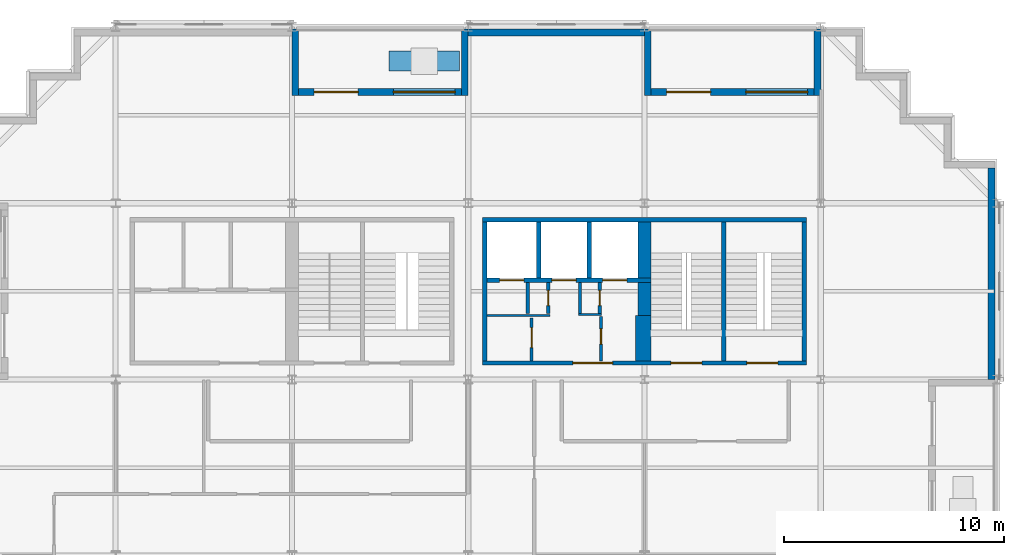
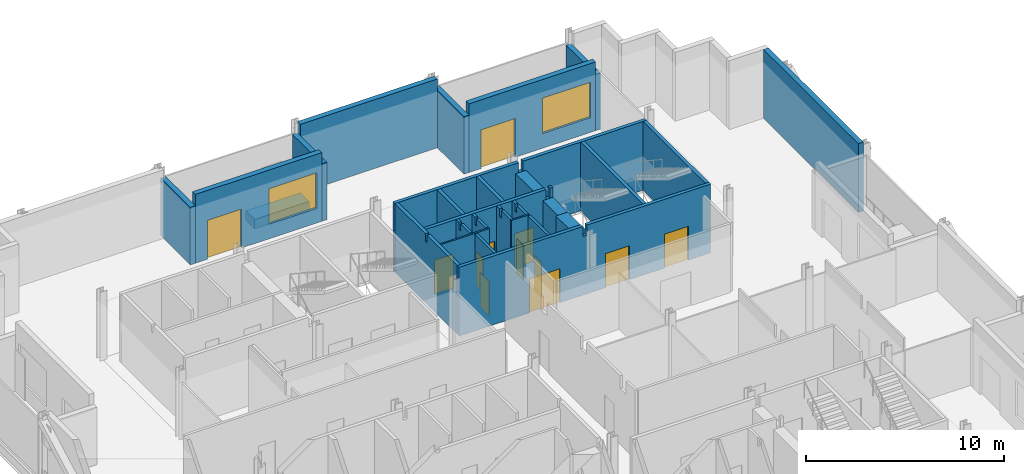
# One storey, part 10 of 15: 28 walls, 12 doors, 2 windows, 14 openings.
"""IFC4 building model written with IfcOpenShell, lengths in metres."""

from ifc_helpers import new_model, si_unit, direction, frame, frame_2d, origin, place, context, subcontext, project, spatial, polyline, rectangle, outline, extrude, material, layer, layer_set, type_object, element, fill, save


model = new_model("IFC4")

# Units and contexts
model_context = context("Model", 3, precision=1e-05, world=origin(), true_north=direction((0.0, 1.0)))
body_context = subcontext(model_context, "Body", "Model", "MODEL_VIEW")
ifc_project = project(units=[si_unit("LENGTHUNIT", "METRE"), si_unit("AREAUNIT", "SQUARE_METRE"), si_unit("VOLUMEUNIT", "CUBIC_METRE"), si_unit("PLANEANGLEUNIT", "RADIAN"), si_unit("MASSUNIT", "GRAM", prefix="KILO")], contexts=[model_context])

# Site, building, storey
site_placement = place(None, origin())
site = spatial("IfcSite", under=ifc_project, at=site_placement, CompositionType="ELEMENT")
building_placement = place(site_placement, origin())
building = spatial("IfcBuilding", under=site, at=building_placement, Name="Immortelle Media Tower", CompositionType="ELEMENT")
storey_placement = place(building_placement, frame((0.0, 0.0, 83.199951171875)))
storey = spatial("IfcBuildingStorey", under=building, at=storey_placement, Name="L15", CompositionType="ELEMENT", Elevation=83.199951171875)

# Walls
ifc_material_1 = material(Name="Fire-rated gypsum board", Category="gypsum")
ifc_layer_1 = layer(ifc_material_1, 0.02490234375)
ifc_material_2 = material(Name="Steel ASTM A653 SS Gr 50 stud frame with mineral wool", Category="steel")
ifc_layer_2 = layer(ifc_material_2, 0.050048828125)
ifc_layer_3 = layer(ifc_material_1, 0.02490234375)
ifc_layer_set_1 = layer_set([ifc_layer_1, ifc_layer_2, ifc_layer_3], Name="Steel ASTM A653 SS Gr 50 stud frame with mineral wool")
wall_type_1 = type_object("IfcWallType", Name="Core partition 100", PredefinedType="PARTITIONING", material=ifc_layer_set_1)
wall_1_placement = place(storey_placement, frame((24.85009765625, 34.89990234375, 0.0), z_axis=(0.0, 0.0, 1.0), x_axis=(1.0, 0.0, 0.0)))
element("IfcWall", 1, at=wall_1_placement, inside=storey, type_object=wall_type_1, Name="Core partition NE", PredefinedType="PARTITIONING", context=body_context, shape_type="SweptSolid", body=[
    extrude(rectangle(XDim=2.849853515625, YDim=0.10009765625, at=frame_2d((1.4248046875, 0.0))), origin(), (0.0, 0.0, 1.0), 4.25),
])
wall_2_placement = place(storey_placement, frame((29.0, 34.949951171875, 0.0), z_axis=(0.0, 0.0, 1.0), x_axis=(1.0, 0.0, 0.0)))
element("IfcWall", 2, at=wall_2_placement, inside=storey, type_object=wall_type_1, Name="Core partition NE", PredefinedType="PARTITIONING", context=body_context, shape_type="SweptSolid", body=[
    extrude(rectangle(XDim=1.050048828125, YDim=0.10009765625, at=frame_2d((0.52490234375, 0.0))), origin(), (0.0, 0.0, 1.0), 4.25),
])
ifc_layer_4 = layer(ifc_material_1, 0.02490234375)
ifc_layer_5 = layer(ifc_material_2, 0.10009765625)
ifc_layer_6 = layer(ifc_material_1, 0.02490234375)
ifc_layer_set_2 = layer_set([ifc_layer_4, ifc_layer_5, ifc_layer_6], Name="Steel ASTM A653 SS Gr 50 stud frame with mineral wool")
wall_type_2 = type_object("IfcWallType", Name="Core partition 150", PredefinedType="PARTITIONING", material=ifc_layer_set_2)
wall_3_placement = place(storey_placement, frame((26.699951171875, 35.0, 0.0), z_axis=(0.0, 0.0, 1.0), x_axis=(0.0, 1.0, 0.0)))
element("IfcWall", 3, at=wall_3_placement, inside=storey, type_object=wall_type_2, Name="Core partition NE", PredefinedType="PARTITIONING", context=body_context, shape_type="SweptSolid", body=[
    extrude(outline(polyline([(0.0, 0.0), (1.39990234375, 0.0), (1.39990234375, 4.25), (1.08154296875, 4.25), (1.08056640625, 3.7890625), (0.91943359375, 3.7890625), (0.91845703125, 4.25), (0.0, 4.25), (0.0, 0.0)])), frame((0.0, 0.074951171875, 0.0), z_axis=(0.0, -1.0, 0.0), x_axis=(1.0, 0.0, 0.0)), (0.0, 0.0, 1.0), 0.14990234375),
])

# Wall, opening, door
wall_4_placement = place(storey_placement, frame((26.875, 32.85009765625, 0.0), z_axis=(0.0, 0.0, 1.0), x_axis=(0.0, 1.0, 0.0)))
wall_4 = element("IfcWall", 4, at=wall_4_placement, inside=storey, type_object=wall_type_2, Name="Core partition NE", PredefinedType="PARTITIONING", context=body_context, shape_type="SweptSolid", body=[
    extrude(rectangle(XDim=1.949951171875, YDim=0.14990234375, at=frame_2d((0.97509765625, 0.0))), origin(), (0.0, 0.0, 1.0), 4.25),
])
opening_1_placement = place(wall_4_placement, frame((0.60009765625, 0.0, 0.0)))
opening_1 = element("IfcOpeningElement", 5, at=opening_1_placement, cuts=wall_4, Name="Opening N4-K028", PredefinedType="OPENING", context=body_context, shape_type="SweptSolid", body=[
    extrude(rectangle(XDim=0.89990234375, YDim=2.10009765625, at=frame_2d((0.449951171875, 1.050048828125))), frame((0.0, 0.0849609375, 0.0), z_axis=(0.0, -1.0, 0.0), x_axis=(1.0, 0.0, 0.0)), (0.0, 0.0, 1.0), 0.169921875),
])
ifc_material_3 = material(Name="Galvanised steel door leaf and frame ASTM A653", Category="steel")
door_type_1 = type_object("IfcDoorType", Name="Service door 900 x 2100", OperationType="NOTDEFINED", PredefinedType="NOTDEFINED", material=ifc_material_3)
door_1_placement = place(opening_1_placement, origin())
door_1 = element("IfcDoor", 6, at=door_1_placement, inside=storey, type_object=door_type_1, Name="Service N4-K028", OperationType="SINGLE_SWING_RIGHT", OverallHeight=2.10009765625, OverallWidth=0.89990234375, PredefinedType="NOTDEFINED", context=body_context, shape_type="SweptSolid", body=[
    extrude(rectangle(XDim=0.89990234375, YDim=2.10009765625, at=frame_2d((0.449951171875, 1.050048828125))), frame((0.0, 0.02490234375, 0.0), z_axis=(0.0, -1.0, 0.0), x_axis=(1.0, 0.0, 0.0)), (0.0, 0.0, 1.0), 0.050048828125),
])
fill(opening_1, door_1)

wall_5_placement = place(storey_placement, frame((27.625, 35.0, 0.0), z_axis=(0.0, 0.0, 1.0), x_axis=(0.0, 1.0, 0.0)))
wall_5 = element("IfcWall", 7, at=wall_5_placement, inside=storey, type_object=wall_type_2, Name="Core partition NE", PredefinedType="PARTITIONING", context=body_context, shape_type="SweptSolid", body=[
    extrude(outline(polyline([(0.0, 0.0), (1.39990234375, 0.0), (1.39990234375, 4.25), (1.08154296875, 4.25), (1.08056640625, 3.7890625), (0.91943359375, 3.7890625), (0.91845703125, 4.25), (0.0, 4.25), (0.0, 0.0)])), frame((0.0, 0.074951171875, 0.0), z_axis=(0.0, -1.0, 0.0), x_axis=(1.0, 0.0, 0.0)), (0.0, 0.0, 1.0), 0.14990234375),
])
opening_2_placement = place(wall_5_placement, frame((0.35009765625, 0.0, 0.0)))
opening_2 = element("IfcOpeningElement", 8, at=opening_2_placement, cuts=wall_5, Name="Opening N4-K047", PredefinedType="OPENING", context=body_context, shape_type="SweptSolid", body=[
    extrude(rectangle(XDim=0.699951171875, YDim=2.10009765625, at=frame_2d((0.35009765625, 1.050048828125))), frame((0.0, 0.0849609375, 0.0), z_axis=(0.0, -1.0, 0.0), x_axis=(1.0, 0.0, 0.0)), (0.0, 0.0, 1.0), 0.169921875),
])
door_type_2 = type_object("IfcDoorType", Name="Service door 700 x 2100", OperationType="NOTDEFINED", PredefinedType="NOTDEFINED", material=ifc_material_3)
door_2_placement = place(opening_2_placement, origin())
door_2 = element("IfcDoor", 9, at=door_2_placement, inside=storey, type_object=door_type_2, Name="Service N4-K047", OperationType="SINGLE_SWING_RIGHT", OverallHeight=2.10009765625, OverallWidth=0.699951171875, PredefinedType="NOTDEFINED", context=body_context, shape_type="SweptSolid", body=[
    extrude(rectangle(XDim=0.699951171875, YDim=2.10009765625, at=frame_2d((0.35009765625, 1.050048828125))), frame((0.0, 0.02490234375, 0.0), z_axis=(0.0, -1.0, 0.0), x_axis=(1.0, 0.0, 0.0)), (0.0, 0.0, 1.0), 0.050048828125),
])
fill(opening_2, door_2)

# Wall
wall_6_placement = place(storey_placement, frame((29.074951171875, 35.0, 0.0), z_axis=(0.0, 0.0, 1.0), x_axis=(0.0, 1.0, 0.0)))
element("IfcWall", 10, at=wall_6_placement, inside=storey, type_object=wall_type_2, Name="Core partition NE", PredefinedType="PARTITIONING", context=body_context, shape_type="SweptSolid", body=[
    extrude(outline(polyline([(0.0, 0.0), (1.39990234375, 0.0), (1.39990234375, 4.25), (1.08154296875, 4.25), (1.08056640625, 3.7890625), (0.91943359375, 3.7890625), (0.91845703125, 4.25), (0.0, 4.25), (0.0, 0.0)])), frame((0.0, 0.074951171875, 0.0), z_axis=(0.0, -1.0, 0.0), x_axis=(1.0, 0.0, 0.0)), (0.0, 0.0, 1.0), 0.14990234375),
])

# Wall, opening, door
wall_7_placement = place(storey_placement, frame((29.97509765625, 35.0, 0.0), z_axis=(0.0, 0.0, 1.0), x_axis=(0.0, 1.0, 0.0)))
wall_7 = element("IfcWall", 11, at=wall_7_placement, inside=storey, type_object=wall_type_2, Name="Core partition NE", PredefinedType="PARTITIONING", context=body_context, shape_type="SweptSolid", body=[
    extrude(outline(polyline([(0.0, 0.0), (1.39990234375, 0.0), (1.39990234375, 4.25), (1.08154296875, 4.25), (1.08056640625, 3.7890625), (0.91943359375, 3.7890625), (0.91845703125, 4.25), (0.0, 4.25), (0.0, 0.0)])), frame((0.0, 0.074951171875, 0.0), z_axis=(0.0, -1.0, 0.0), x_axis=(1.0, 0.0, 0.0)), (0.0, 0.0, 1.0), 0.14990234375),
])
opening_3_placement = place(wall_7_placement, frame((1.050048828125, 0.0, 0.0), z_axis=(0.0, 0.0, 1.0), x_axis=(-1.0, 0.0, 0.0)))
opening_3 = element("IfcOpeningElement", 12, at=opening_3_placement, cuts=wall_7, Name="Opening N4-K031", PredefinedType="OPENING", context=body_context, shape_type="SweptSolid", body=[
    extrude(rectangle(XDim=0.699951171875, YDim=2.10009765625, at=frame_2d((0.35009765625, 1.050048828125))), frame((0.0, 0.0849609375, 0.0), z_axis=(0.0, -1.0, 0.0), x_axis=(1.0, 0.0, 0.0)), (0.0, 0.0, 1.0), 0.169921875),
])
door_3_placement = place(opening_3_placement, origin())
door_3 = element("IfcDoor", 13, at=door_3_placement, inside=storey, type_object=door_type_2, Name="Service N4-K031", OperationType="SINGLE_SWING_RIGHT", OverallHeight=2.10009765625, OverallWidth=0.699951171875, PredefinedType="NOTDEFINED", context=body_context, shape_type="SweptSolid", body=[
    extrude(rectangle(XDim=0.699951171875, YDim=2.10009765625, at=frame_2d((0.35009765625, 1.050048828125))), frame((0.0, 0.02490234375, 0.0), z_axis=(0.0, -1.0, 0.0), x_axis=(1.0, 0.0, 0.0)), (0.0, 0.0, 1.0), 0.050048828125),
])
fill(opening_3, door_3)

wall_8_placement = place(storey_placement, frame((30.02490234375, 32.85009765625, 0.0), z_axis=(0.0, 0.0, 1.0), x_axis=(0.0, 1.0, 0.0)))
wall_8 = element("IfcWall", 14, at=wall_8_placement, inside=storey, type_object=wall_type_2, Name="Core partition NE", PredefinedType="PARTITIONING", context=body_context, shape_type="SweptSolid", body=[
    extrude(rectangle(XDim=2.0, YDim=0.14990234375, at=frame_2d((1.0, 0.0))), origin(), (0.0, 0.0, 1.0), 4.25),
])
opening_4_placement = place(wall_8_placement, frame((1.449951171875, 0.0, 0.0), z_axis=(0.0, 0.0, 1.0), x_axis=(-1.0, 0.0, 0.0)))
opening_4 = element("IfcOpeningElement", 15, at=opening_4_placement, cuts=wall_8, Name="Opening N4-K048", PredefinedType="OPENING", context=body_context, shape_type="SweptSolid", body=[
    extrude(rectangle(XDim=0.699951171875, YDim=2.10009765625, at=frame_2d((0.35009765625, 1.050048828125))), frame((0.0, 0.0849609375, 0.0), z_axis=(0.0, -1.0, 0.0), x_axis=(1.0, 0.0, 0.0)), (0.0, 0.0, 1.0), 0.169921875),
])
door_4_placement = place(opening_4_placement, origin())
door_4 = element("IfcDoor", 16, at=door_4_placement, inside=storey, type_object=door_type_2, Name="Service N4-K048", OperationType="SINGLE_SWING_RIGHT", OverallHeight=2.10009765625, OverallWidth=0.699951171875, PredefinedType="NOTDEFINED", context=body_context, shape_type="SweptSolid", body=[
    extrude(rectangle(XDim=0.699951171875, YDim=2.10009765625, at=frame_2d((0.35009765625, 1.050048828125))), frame((0.0, 0.02490234375, 0.0), z_axis=(0.0, -1.0, 0.0), x_axis=(1.0, 0.0, 0.0)), (0.0, 0.0, 1.0), 0.050048828125),
])
fill(opening_4, door_4)

# Wall
ifc_layer_7 = layer(ifc_material_1, 0.03759765625)
ifc_layer_8 = layer(ifc_material_2, 0.125)
ifc_layer_9 = layer(ifc_material_1, 0.03759765625)
ifc_layer_set_3 = layer_set([ifc_layer_7, ifc_layer_8, ifc_layer_9], Name="Steel ASTM A653 SS Gr 50 stud frame with mineral wool")
wall_type_3 = type_object("IfcWallType", Name="Core shaft wall 200", PredefinedType="PARTITIONING", material=ifc_layer_set_3)
wall_9_placement = place(storey_placement, frame((24.75, 32.85009765625, 0.0), z_axis=(0.0, 0.0, 1.0), x_axis=(0.0, 1.0, 0.0)))
element("IfcWall", 17, at=wall_9_placement, inside=storey, type_object=wall_type_3, Name="Core shaft wall NE", PredefinedType="PARTITIONING", context=body_context, shape_type="SweptSolid", body=[
    extrude(outline(polyline([(0.0, 0.0), (6.2998046875, 0.0), (6.300048828125, 4.25), (3.2314453125, 4.25), (3.23046875, 3.7890625), (3.069580078125, 3.7890625), (3.068603515625, 4.25), (0.0, 4.25), (0.0, 0.0)])), frame((0.0, 0.10009765625, 0.0), z_axis=(0.0, -1.0, 0.0), x_axis=(1.0, 0.0, 0.0)), (0.0, 0.0, 1.0), 0.199951171875),
])

# Wall, openings, doors
wall_10_placement = place(storey_placement, frame((24.85009765625, 36.5, 0.0), z_axis=(0.0, 0.0, 1.0), x_axis=(1.0, 0.0, 0.0)))
wall_10 = element("IfcWall", 18, at=wall_10_placement, inside=storey, type_object=wall_type_3, Name="Core shaft wall NE", PredefinedType="PARTITIONING", context=body_context, shape_type="SweptSolid", body=[
    extrude(outline(polyline([(0.0, 0.0), (7.449951171875, 0.0), (7.449951171875, 4.25), (7.26953125, 4.25), (7.2685546875, 3.632080078125), (7.031494140625, 3.632080078125), (7.030517578125, 4.25), (0.0, 4.25), (0.0, 0.0)])), frame((0.0, 0.10009765625, 0.0), z_axis=(0.0, -1.0, 0.0), x_axis=(1.0, 0.0, 0.0)), (0.0, 0.0, 1.0), 0.199951171875),
])
opening_5_placement = place(wall_10_placement, frame((0.574951171875, 0.0, 0.0)))
opening_5 = element("IfcOpeningElement", 19, at=opening_5_placement, cuts=wall_10, Name="Opening LD", PredefinedType="OPENING", context=body_context, shape_type="SweptSolid", body=[
    extrude(rectangle(XDim=1.10009765625, YDim=2.10009765625, at=frame_2d((0.550048828125, 1.050048828125))), frame((0.0, 0.10986328125, 0.0), z_axis=(0.0, -1.0, 0.0), x_axis=(1.0, 0.0, 0.0)), (0.0, 0.0, 1.0), 0.219970703125),
])
opening_6_placement = place(wall_10_placement, frame((2.949951171875, 0.0, 0.0)))
opening_6 = element("IfcOpeningElement", 20, at=opening_6_placement, cuts=wall_10, Name="Opening LD", PredefinedType="OPENING", context=body_context, shape_type="SweptSolid", body=[
    extrude(rectangle(XDim=1.10009765625, YDim=2.10009765625, at=frame_2d((0.550048828125, 1.050048828125))), frame((0.0, 0.10986328125, 0.0), z_axis=(0.0, -1.0, 0.0), x_axis=(1.0, 0.0, 0.0)), (0.0, 0.0, 1.0), 0.219970703125),
])
opening_7_placement = place(wall_10_placement, frame((5.25, 0.0, 0.0)))
opening_7 = element("IfcOpeningElement", 21, at=opening_7_placement, cuts=wall_10, Name="Opening LD", PredefinedType="OPENING", context=body_context, shape_type="SweptSolid", body=[
    extrude(rectangle(XDim=1.10009765625, YDim=2.10009765625, at=frame_2d((0.550048828125, 1.050048828125))), frame((0.0, 0.10986328125, 0.0), z_axis=(0.0, -1.0, 0.0), x_axis=(1.0, 0.0, 0.0)), (0.0, 0.0, 1.0), 0.219970703125),
])
ifc_material_4 = material(Name="Stainless steel AISI 304", Category="steel")
door_type_3 = type_object("IfcDoorType", Name="Landing door 1100 x 2100", OperationType="SLIDING_TO_LEFT", PredefinedType="NOTDEFINED", material=ifc_material_4)
door_5_placement = place(opening_5_placement, origin())
door_5 = element("IfcDoor", 22, at=door_5_placement, inside=storey, type_object=door_type_3, Name="Landing door LR1 L15", OperationType="SLIDING_TO_LEFT", OverallHeight=2.10009765625, OverallWidth=1.10009765625, PredefinedType="NOTDEFINED", context=body_context, shape_type="SweptSolid", body=[
    extrude(rectangle(XDim=1.10009765625, YDim=2.10009765625, at=frame_2d((0.550048828125, 1.050048828125))), frame((0.0, 0.02490234375, 0.0), z_axis=(0.0, -1.0, 0.0), x_axis=(1.0, 0.0, 0.0)), (0.0, 0.0, 1.0), 0.050048828125),
])
fill(opening_5, door_5)
door_6_placement = place(opening_6_placement, origin())
door_6 = element("IfcDoor", 23, at=door_6_placement, inside=storey, type_object=door_type_3, Name="Landing door LR2 L15", OperationType="SLIDING_TO_LEFT", OverallHeight=2.10009765625, OverallWidth=1.10009765625, PredefinedType="NOTDEFINED", context=body_context, shape_type="SweptSolid", body=[
    extrude(rectangle(XDim=1.10009765625, YDim=2.10009765625, at=frame_2d((0.550048828125, 1.050048828125))), frame((0.0, 0.02490234375, 0.0), z_axis=(0.0, -1.0, 0.0), x_axis=(1.0, 0.0, 0.0)), (0.0, 0.0, 1.0), 0.050048828125),
])
fill(opening_6, door_6)
door_7_placement = place(opening_7_placement, origin())
door_7 = element("IfcDoor", 24, at=door_7_placement, inside=storey, type_object=door_type_3, Name="Landing door LR3 L15", OperationType="SLIDING_TO_LEFT", OverallHeight=2.10009765625, OverallWidth=1.10009765625, PredefinedType="NOTDEFINED", context=body_context, shape_type="SweptSolid", body=[
    extrude(rectangle(XDim=1.10009765625, YDim=2.10009765625, at=frame_2d((0.550048828125, 1.050048828125))), frame((0.0, 0.02490234375, 0.0), z_axis=(0.0, -1.0, 0.0), x_axis=(1.0, 0.0, 0.0)), (0.0, 0.0, 1.0), 0.050048828125),
])
fill(opening_7, door_7)

# Walls
for number, where, z_axis, x_axis, name in (
    (25, (27.199951171875, 36.60009765625, 0.0), (0.0, 0.0, 1.0), (0.0, 1.0, 0.0), "Core shaft wall NE"),
    (26, (29.5, 36.60009765625, 0.0), (0.0, 0.0, 1.0), (0.0, 1.0, 0.0), "Core shaft wall NE"),
):
    element("IfcWall", number, at=place(storey_placement, frame(where, z_axis=z_axis, x_axis=x_axis)), inside=storey, type_object=wall_type_3, Name=name, PredefinedType="PARTITIONING", context=body_context, shape_type="SweptSolid", body=[
        extrude(rectangle(XDim=2.5498046875, YDim=0.199951171875, at=frame_2d((1.27490234375, 0.0))), origin(), (0.0, 0.0, 1.0), 4.25),
    ])
ifc_material_5 = material(Name="Pale aluminium cladding panel", Category="aluminium")
ifc_layer_10 = layer(ifc_material_5, 0.030029296875)
ifc_layer_11 = layer(ifc_material_2, 0.257568359375)
ifc_material_6 = material(Name="Moisture-resistant gypsum board", Category="gypsum")
ifc_layer_12 = layer(ifc_material_6, 0.012451171875)
ifc_layer_set_4 = layer_set([ifc_layer_10, ifc_layer_11, ifc_layer_12], Name="Steel ASTM A653 SS Gr 50 stud frame with mineral wool")
wall_type_4 = type_object("IfcWallType", Name="Facade wall 300", PredefinedType="SOLIDWALL", material=ifc_layer_set_4)
wall_11_placement = place(storey_placement, frame((47.75, 32.0, 0.0), z_axis=(0.0, 0.0, 1.0), x_axis=(0.0, 1.0, 0.0)))
element("IfcWall", 27, at=wall_11_placement, inside=storey, type_object=wall_type_4, Name="Facade wall L15 E14", PredefinedType="SOLIDWALL", context=body_context, shape_type="SweptSolid", body=[
    extrude(rectangle(XDim=9.60009765625, YDim=0.300048828125, at=frame_2d((4.800048828125, 0.0))), origin(), (0.0, 0.0, 1.0), 4.25),
])

# Wall, openings, door, window
wall_12_placement = place(storey_placement, frame((39.699951171875, 45.050048828125, 0.0), z_axis=(0.0, 0.0, 1.0), x_axis=(-1.0, 0.0, 0.0)))
wall_12 = element("IfcWall", 28, at=wall_12_placement, inside=storey, type_object=wall_type_4, Name="Loggia wall L15 N21", PredefinedType="SOLIDWALL", context=body_context, shape_type="SweptSolid", body=[
    extrude(rectangle(XDim=7.39990234375, YDim=0.300048828125, at=frame_2d((3.699951171875, 0.0))), origin(), (0.0, 0.0, 1.0), 4.25),
])
opening_8_placement = place(wall_12_placement, frame((0.300048828125, 0.0, 0.89990234375)))
opening_8 = element("IfcOpeningElement", 29, at=opening_8_placement, cuts=wall_12, Name="Opening W1", PredefinedType="OPENING", context=body_context, shape_type="SweptSolid", body=[
    extrude(rectangle(XDim=2.800048828125, YDim=2.199951171875, at=frame_2d((1.39990234375, 1.10009765625))), frame((0.0, 0.159912109375, 0.0), z_axis=(0.0, -1.0, 0.0), x_axis=(1.0, 0.0, 0.0)), (0.0, 0.0, 1.0), 0.320068359375),
])
opening_9_placement = place(wall_12_placement, frame((4.699951171875, 0.0, 0.0)))
opening_9 = element("IfcOpeningElement", 30, at=opening_9_placement, cuts=wall_12, Name="Opening N4-E007", PredefinedType="OPENING", context=body_context, shape_type="SweptSolid", body=[
    extrude(rectangle(XDim=2.0, YDim=2.39990234375, at=frame_2d((1.0, 1.199951171875))), frame((0.0, 0.159912109375, 0.0), z_axis=(0.0, -1.0, 0.0), x_axis=(1.0, 0.0, 0.0)), (0.0, 0.0, 1.0), 0.320068359375),
])
ifc_material_7 = material(Name="Aluminium frame, glazed leaves", Category="aluminium")
door_type_4 = type_object("IfcDoorType", Name="Loggia door 2000 x 2400", OperationType="DOUBLE_DOOR_SINGLE_SWING", PredefinedType="DOOR", material=ifc_material_7)
door_8_placement = place(opening_9_placement, origin())
door_8 = element("IfcDoor", 31, at=door_8_placement, inside=storey, type_object=door_type_4, Name="Door N4-E007", OperationType="DOUBLE_DOOR_SINGLE_SWING", OverallHeight=2.39990234375, OverallWidth=2.0, PredefinedType="DOOR", context=body_context, shape_type="SweptSolid", body=[
    extrude(rectangle(XDim=2.0, YDim=2.39990234375, at=frame_2d((1.0, 1.199951171875))), frame((0.0, 0.02490234375, 0.0), z_axis=(0.0, -1.0, 0.0), x_axis=(1.0, 0.0, 0.0)), (0.0, 0.0, 1.0), 0.050048828125),
])
fill(opening_9, door_8)
ifc_material_8 = material(Name="Aluminium frame", Category="aluminium")
window_type = type_object("IfcWindowType", Name="Window 2800 x 2200", PartitioningType="SINGLE_PANEL", PredefinedType="WINDOW", material=ifc_material_8)
window_1_placement = place(opening_8_placement, origin())
window_1 = element("IfcWindow", 32, at=window_1_placement, inside=storey, type_object=window_type, Name="Window L15 L15-R21-B0", OverallHeight=2.199951171875, OverallWidth=2.800048828125, PartitioningType="SINGLE_PANEL", PredefinedType="WINDOW", context=body_context, shape_type="SweptSolid", body=[
    extrude(rectangle(XDim=2.800048828125, YDim=2.199951171875, at=frame_2d((1.39990234375, 1.10009765625))), frame((0.0, 0.030029296875, 0.0), z_axis=(0.0, -1.0, 0.0), x_axis=(1.0, 0.0, 0.0)), (0.0, 0.0, 1.0), 0.06005859375),
])
fill(opening_8, window_1)

# Walls
wall_13_placement = place(storey_placement, frame((39.85009765625, 47.89990234375, 0.0), z_axis=(0.0, 0.0, 1.0), x_axis=(0.0, -1.0, 0.0)))
element("IfcWall", 33, at=wall_13_placement, inside=storey, type_object=wall_type_4, Name="Loggia cheek wall L15 N", PredefinedType="SOLIDWALL", context=body_context, shape_type="SweptSolid", body=[
    extrude(rectangle(XDim=3.0, YDim=0.300048828125, at=frame_2d((1.5, 0.0))), origin(), (0.0, 0.0, 1.0), 3.468994140625),
])
wall_14_placement = place(storey_placement, frame((32.14990234375, 47.89990234375, 0.0), z_axis=(0.0, 0.0, 1.0), x_axis=(0.0, -1.0, 0.0)))
element("IfcWall", 34, at=wall_14_placement, inside=storey, type_object=wall_type_4, Name="Loggia cheek wall L15 N", PredefinedType="SOLIDWALL", context=body_context, shape_type="SweptSolid", body=[
    extrude(rectangle(XDim=3.0, YDim=0.300048828125, at=frame_2d((1.5, 0.0))), origin(), (0.0, 0.0, 1.0), 3.55615234375),
])
wall_15_placement = place(storey_placement, frame((32.0, 47.75, 0.0), z_axis=(0.0, 0.0, 1.0), x_axis=(-1.0, 0.0, 0.0)))
element("IfcWall", 35, at=wall_15_placement, inside=storey, type_object=wall_type_4, Name="Facade wall L15 N21", PredefinedType="SOLIDWALL", context=body_context, shape_type="SweptSolid", body=[
    extrude(rectangle(XDim=8.0, YDim=0.300048828125, at=frame_2d((4.0, 0.0))), origin(), (0.0, 0.0, 1.0), 4.25),
])

# Wall, openings, door, window
wall_16_placement = place(storey_placement, frame((23.699951171875, 45.050048828125, 0.0), z_axis=(0.0, 0.0, 1.0), x_axis=(-1.0, 0.0, 0.0)))
wall_16 = element("IfcWall", 36, at=wall_16_placement, inside=storey, type_object=wall_type_4, Name="Loggia wall L15 N21", PredefinedType="SOLIDWALL", context=body_context, shape_type="SweptSolid", body=[
    extrude(rectangle(XDim=7.39990234375, YDim=0.300048828125, at=frame_2d((3.699951171875, 0.0))), origin(), (0.0, 0.0, 1.0), 4.25),
])
opening_10_placement = place(wall_16_placement, frame((0.300048828125, 0.0, 0.89990234375)))
opening_10 = element("IfcOpeningElement", 37, at=opening_10_placement, cuts=wall_16, Name="Opening W1", PredefinedType="OPENING", context=body_context, shape_type="SweptSolid", body=[
    extrude(rectangle(XDim=2.800048828125, YDim=2.199951171875, at=frame_2d((1.39990234375, 1.10009765625))), frame((0.0, 0.159912109375, 0.0), z_axis=(0.0, -1.0, 0.0), x_axis=(1.0, 0.0, 0.0)), (0.0, 0.0, 1.0), 0.320068359375),
])
opening_11_placement = place(wall_16_placement, frame((4.699951171875, 0.0, 0.0)))
opening_11 = element("IfcOpeningElement", 38, at=opening_11_placement, cuts=wall_16, Name="Opening N4-E008", PredefinedType="OPENING", context=body_context, shape_type="SweptSolid", body=[
    extrude(rectangle(XDim=2.0, YDim=2.39990234375, at=frame_2d((1.0, 1.199951171875))), frame((0.0, 0.159912109375, 0.0), z_axis=(0.0, -1.0, 0.0), x_axis=(1.0, 0.0, 0.0)), (0.0, 0.0, 1.0), 0.320068359375),
])
door_9_placement = place(opening_11_placement, origin())
door_9 = element("IfcDoor", 39, at=door_9_placement, inside=storey, type_object=door_type_4, Name="Door N4-E008", OperationType="DOUBLE_DOOR_SINGLE_SWING", OverallHeight=2.39990234375, OverallWidth=2.0, PredefinedType="DOOR", context=body_context, shape_type="SweptSolid", body=[
    extrude(rectangle(XDim=2.0, YDim=2.39990234375, at=frame_2d((1.0, 1.199951171875))), frame((0.0, 0.02490234375, 0.0), z_axis=(0.0, -1.0, 0.0), x_axis=(1.0, 0.0, 0.0)), (0.0, 0.0, 1.0), 0.050048828125),
])
fill(opening_11, door_9)
window_2_placement = place(opening_10_placement, origin())
window_2 = element("IfcWindow", 40, at=window_2_placement, inside=storey, type_object=window_type, Name="Window L15 L15-R21-B2", OverallHeight=2.199951171875, OverallWidth=2.800048828125, PartitioningType="SINGLE_PANEL", PredefinedType="WINDOW", context=body_context, shape_type="SweptSolid", body=[
    extrude(rectangle(XDim=2.800048828125, YDim=2.199951171875, at=frame_2d((1.39990234375, 1.10009765625))), frame((0.0, 0.030029296875, 0.0), z_axis=(0.0, -1.0, 0.0), x_axis=(1.0, 0.0, 0.0)), (0.0, 0.0, 1.0), 0.06005859375),
])
fill(opening_10, window_2)

# Walls
for number, where, z_axis, x_axis, name in (
    (41, (23.85009765625, 47.89990234375, 0.0), (0.0, 0.0, 1.0), (0.0, -1.0, 0.0), "Loggia cheek wall L15 N"),
    (42, (16.14990234375, 47.89990234375, 0.0), (0.0, 0.0, 1.0), (0.0, -1.0, 0.0), "Loggia cheek wall L15 N"),
):
    element("IfcWall", number, at=place(storey_placement, frame(where, z_axis=z_axis, x_axis=x_axis)), inside=storey, type_object=wall_type_4, Name=name, PredefinedType="SOLIDWALL", context=body_context, shape_type="SweptSolid", body=[
        extrude(rectangle(XDim=3.0, YDim=0.300048828125, at=frame_2d((1.5, 0.0))), origin(), (0.0, 0.0, 1.0), 3.55615234375),
    ])
ifc_layer_13 = layer(ifc_material_5, 0.0029296875)
ifc_material_9 = material(Name="Steel ASTM A572 Gr 50 planter shell", Category="steel")
ifc_layer_14 = layer(ifc_material_9, 0.011962890625)
ifc_material_10 = material(Name="Planting substrate", Category="soil")
ifc_layer_15 = layer(ifc_material_10, 0.873046875)
ifc_layer_16 = layer(ifc_material_9, 0.011962890625)
ifc_layer_set_5 = layer_set([ifc_layer_13, ifc_layer_14, ifc_layer_15, ifc_layer_16], Name="Steel ASTM A572 Gr 50 planter shell")
wall_type_5 = type_object("IfcWallType", Name="Planter wall 900", PredefinedType="SOLIDWALL", material=ifc_layer_set_5)
wall_17_placement = place(storey_placement, frame((23.60009765625, 46.449951171875, 0.0), z_axis=(0.0, 0.0, 1.0), x_axis=(-1.0, 0.0, 0.0)))
element("IfcWall", 43, at=wall_17_placement, inside=storey, type_object=wall_type_5, Name="Planter L15 N2", PredefinedType="SOLIDWALL", context=body_context, shape_type="SweptSolid", body=[
    extrude(rectangle(XDim=3.2001953125, YDim=0.89990234375, at=frame_2d((1.60009765625, 0.0))), origin(), (0.0, 0.0, 1.0), 0.60009765625),
])

# Wall, openings, doors
ifc_material_11 = material(Name="Concrete C60", Category="concrete")
ifc_layer_17 = layer(ifc_material_11, 0.199951171875)
ifc_layer_set_6 = layer_set([ifc_layer_17], Name="Concrete C60")
wall_type_6 = type_object("IfcWallType", Name="Stair shaft wall 200", PredefinedType="PARTITIONING", material=ifc_layer_set_6)
wall_18_placement = place(storey_placement, frame((24.64990234375, 32.75, 0.0), z_axis=(0.0, 0.0, 1.0), x_axis=(1.0, 0.0, 0.0)))
wall_18 = element("IfcWall", 44, at=wall_18_placement, inside=storey, type_object=wall_type_6, Name="Stair shaft wall NE", PredefinedType="PARTITIONING", context=body_context, shape_type="SweptSolid", body=[
    extrude(outline(polyline([(0.0, 0.0), (14.7001953125, 0.0), (14.699951171875, 4.25), (7.469482421875, 4.25), (7.468505859375, 3.632080078125), (7.2314453125, 3.632080078125), (7.23046875, 4.25), (0.0, 4.25), (0.0, 0.0)])), frame((0.0, 0.10009765625, 0.0), z_axis=(0.0, -1.0, 0.0), x_axis=(1.0, 0.0, 0.0)), (0.0, 0.0, 1.0), 0.199951171875),
])
opening_12_placement = place(wall_18_placement, frame((4.10009765625, 0.0, 0.0)))
opening_12 = element("IfcOpeningElement", 45, at=opening_12_placement, cuts=wall_18, Name="Opening N4-K030", PredefinedType="OPENING", context=body_context, shape_type="SweptSolid", body=[
    extrude(rectangle(XDim=1.800048828125, YDim=2.10009765625, at=frame_2d((0.89990234375, 1.050048828125))), frame((0.0, 0.10986328125, 0.0), z_axis=(0.0, -1.0, 0.0), x_axis=(1.0, 0.0, 0.0)), (0.0, 0.0, 1.0), 0.219970703125),
])
opening_13_placement = place(wall_18_placement, frame((8.550048828125, 0.0, 0.0)))
opening_13 = element("IfcOpeningElement", 46, at=opening_13_placement, cuts=wall_18, Name="Opening N4-K033", PredefinedType="OPENING", context=body_context, shape_type="SweptSolid", body=[
    extrude(rectangle(XDim=1.39990234375, YDim=2.10009765625, at=frame_2d((0.699951171875, 1.050048828125))), frame((0.0, 0.10986328125, 0.0), z_axis=(0.0, -1.0, 0.0), x_axis=(1.0, 0.0, 0.0)), (0.0, 0.0, 1.0), 0.219970703125),
])
opening_14_placement = place(wall_18_placement, frame((12.0, 0.0, 0.0)))
opening_14 = element("IfcOpeningElement", 47, at=opening_14_placement, cuts=wall_18, Name="Opening N4-K034", PredefinedType="OPENING", context=body_context, shape_type="SweptSolid", body=[
    extrude(rectangle(XDim=1.39990234375, YDim=2.10009765625, at=frame_2d((0.699951171875, 1.050048828125))), frame((0.0, 0.10986328125, 0.0), z_axis=(0.0, -1.0, 0.0), x_axis=(1.0, 0.0, 0.0)), (0.0, 0.0, 1.0), 0.219970703125),
])
door_type_5 = type_object("IfcDoorType", Name="Lift lobby door 1800 x 2100", OperationType="DOUBLE_DOOR_SINGLE_SWING", PredefinedType="NOTDEFINED", material=ifc_material_3)
door_10_placement = place(opening_12_placement, origin())
door_10 = element("IfcDoor", 48, at=door_10_placement, inside=storey, type_object=door_type_5, Name="Lift lobby N4-K030", OperationType="DOUBLE_DOOR_SINGLE_SWING", OverallHeight=2.10009765625, OverallWidth=1.800048828125, PredefinedType="NOTDEFINED", context=body_context, shape_type="SweptSolid", body=[
    extrude(rectangle(XDim=1.800048828125, YDim=2.10009765625, at=frame_2d((0.89990234375, 1.050048828125))), frame((0.0, 0.02490234375, 0.0), z_axis=(0.0, -1.0, 0.0), x_axis=(1.0, 0.0, 0.0)), (0.0, 0.0, 1.0), 0.050048828125),
])
fill(opening_12, door_10)
door_type_6 = type_object("IfcDoorType", Name="Stair door 1400 x 2100", OperationType="DOUBLE_DOOR_SINGLE_SWING", PredefinedType="NOTDEFINED", material=ifc_material_3)
door_11_placement = place(opening_13_placement, origin())
door_11 = element("IfcDoor", 49, at=door_11_placement, inside=storey, type_object=door_type_6, Name="Stair N4-K033", OperationType="DOUBLE_DOOR_SINGLE_SWING", OverallHeight=2.10009765625, OverallWidth=1.39990234375, PredefinedType="NOTDEFINED", context=body_context, shape_type="SweptSolid", body=[
    extrude(rectangle(XDim=1.39990234375, YDim=2.10009765625, at=frame_2d((0.699951171875, 1.050048828125))), frame((0.0, 0.02490234375, 0.0), z_axis=(0.0, -1.0, 0.0), x_axis=(1.0, 0.0, 0.0)), (0.0, 0.0, 1.0), 0.050048828125),
])
fill(opening_13, door_11)
door_12_placement = place(opening_14_placement, origin())
door_12 = element("IfcDoor", 50, at=door_12_placement, inside=storey, type_object=door_type_6, Name="Stair N4-K034", OperationType="DOUBLE_DOOR_SINGLE_SWING", OverallHeight=2.10009765625, OverallWidth=1.39990234375, PredefinedType="NOTDEFINED", context=body_context, shape_type="SweptSolid", body=[
    extrude(rectangle(XDim=1.39990234375, YDim=2.10009765625, at=frame_2d((0.699951171875, 1.050048828125))), frame((0.0, 0.02490234375, 0.0), z_axis=(0.0, -1.0, 0.0), x_axis=(1.0, 0.0, 0.0)), (0.0, 0.0, 1.0), 0.050048828125),
])
fill(opening_14, door_12)

# Walls
wall_19_placement = place(storey_placement, frame((24.64990234375, 39.25, 0.0), z_axis=(0.0, 0.0, 1.0), x_axis=(1.0, 0.0, 0.0)))
element("IfcWall", 51, at=wall_19_placement, inside=storey, type_object=wall_type_6, Name="Stair shaft wall NE", PredefinedType="PARTITIONING", context=body_context, shape_type="SweptSolid", body=[
    extrude(outline(polyline([(0.0, 0.0), (14.7001953125, 0.0), (14.699951171875, 4.25), (7.469482421875, 4.25), (7.468505859375, 3.632080078125), (7.2314453125, 3.632080078125), (7.23046875, 4.25), (0.0, 4.25), (0.0, 0.0)])), frame((0.0, 0.10009765625, 0.0), z_axis=(0.0, -1.0, 0.0), x_axis=(1.0, 0.0, 0.0)), (0.0, 0.0, 1.0), 0.199951171875),
])
for number, where, z_axis, x_axis, name in (
    (52, (35.60009765625, 32.85009765625, 0.0), (0.0, 0.0, 1.0), (0.0, 1.0, 0.0), "Stair shaft wall NE"),
    (53, (39.25, 32.85009765625, 0.0), (0.0, 0.0, 1.0), (0.0, 1.0, 0.0), "Stair shaft wall NE"),
):
    element("IfcWall", number, at=place(storey_placement, frame(where, z_axis=z_axis, x_axis=x_axis)), inside=storey, type_object=wall_type_6, Name=name, PredefinedType="PARTITIONING", context=body_context, shape_type="SweptSolid", body=[
        extrude(rectangle(XDim=6.2998046875, YDim=0.199951171875, at=frame_2d((3.14990234375, 0.0))), origin(), (0.0, 0.0, 1.0), 4.25),
    ])
ifc_layer_18 = layer(ifc_material_11, 0.60009765625)
ifc_layer_set_7 = layer_set([ifc_layer_18], Name="Concrete C60")
wall_type_7 = type_object("IfcWallType", Name="Stair shaft wall 600", PredefinedType="PARTITIONING", material=ifc_layer_set_7)
wall_20_placement = place(storey_placement, frame((32.0, 34.89990234375, 0.0), z_axis=(0.0, 0.0, 1.0), x_axis=(0.0, 1.0, 0.0)))
element("IfcWall", 54, at=wall_20_placement, inside=storey, type_object=wall_type_7, Name="Stair shaft wall NE", PredefinedType="PARTITIONING", context=body_context, shape_type="SweptSolid", body=[
    extrude(rectangle(XDim=1.5, YDim=0.60009765625, at=frame_2d((0.75, 0.0))), origin(), (0.0, 0.0, 1.0), 3.632080078125),
])
wall_21_placement = place(storey_placement, frame((32.0, 36.60009765625, 0.0), z_axis=(0.0, 0.0, 1.0), x_axis=(0.0, 1.0, 0.0)))
element("IfcWall", 55, at=wall_21_placement, inside=storey, type_object=wall_type_7, Name="Stair shaft wall NE", PredefinedType="PARTITIONING", context=body_context, shape_type="SweptSolid", body=[
    extrude(rectangle(XDim=2.5498046875, YDim=0.60009765625, at=frame_2d((1.27490234375, 0.0))), origin(), (0.0, 0.0, 1.0), 3.632080078125),
])
ifc_layer_19 = layer(ifc_material_11, 0.699951171875)
ifc_layer_set_8 = layer_set([ifc_layer_19], Name="Concrete C60")
wall_type_8 = type_object("IfcWallType", Name="Stair shaft wall 700", PredefinedType="PARTITIONING", material=ifc_layer_set_8)
wall_22_placement = place(storey_placement, frame((31.949951171875, 32.85009765625, 0.0), z_axis=(0.0, 0.0, 1.0), x_axis=(0.0, 1.0, 0.0)))
element("IfcWall", 56, at=wall_22_placement, inside=storey, type_object=wall_type_8, Name="Stair shaft wall NE", PredefinedType="PARTITIONING", context=body_context, shape_type="SweptSolid", body=[
    extrude(rectangle(XDim=2.0498046875, YDim=0.699951171875, at=frame_2d((1.02490234375, 0.0))), origin(), (0.0, 0.0, 1.0), 3.632080078125),
])

save(model, "model.ifc")
